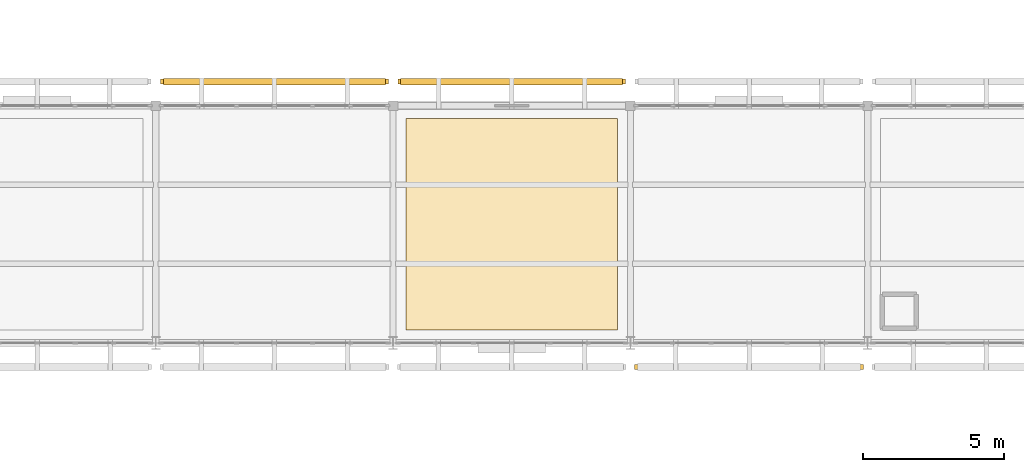
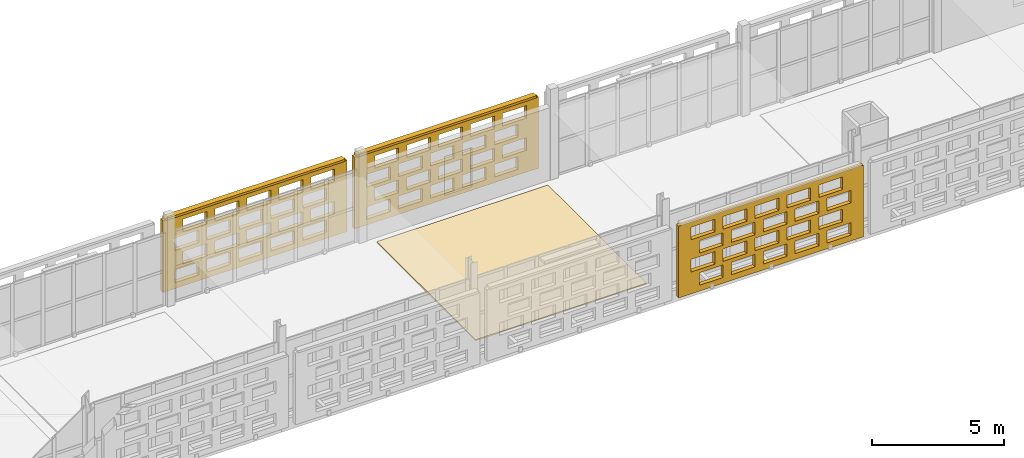
# One storey, part 121 of 140: 4 coverings, 2 shading devices, 60 openings.
"""IFC4 building model written with IfcOpenShell, lengths in metres."""

from ifc_helpers import new_model, si_unit, direction, frame, frame_2d, origin, origin_2d, place, context, subcontext, project, spatial, rectangle, extrude, material, layer, layer_set, type_object, element, save


model = new_model("IFC4")

# Units and contexts
model_context = context("Model", 3, precision=1e-05, world=origin(), true_north=direction((0.0, 1.0)))
body_context = subcontext(model_context, "Body", "Model", "MODEL_VIEW")
ifc_project = project(units=[si_unit("LENGTHUNIT", "METRE"), si_unit("AREAUNIT", "SQUARE_METRE"), si_unit("VOLUMEUNIT", "CUBIC_METRE"), si_unit("PLANEANGLEUNIT", "RADIAN"), si_unit("MASSUNIT", "GRAM", prefix="KILO")], contexts=[model_context])

# Site, building, storey
site_placement = place(None, origin())
site = spatial("IfcSite", under=ifc_project, at=site_placement, CompositionType="ELEMENT")
building_placement = place(site_placement, origin())
building = spatial("IfcBuilding", under=site, at=building_placement, Name="Varnapada Polytechnic", CompositionType="ELEMENT")
storey_placement = place(building_placement, frame((0.0, 0.0, 13.800048828125)))
storey = spatial("IfcBuildingStorey", under=building, at=storey_placement, Name="L03", CompositionType="ELEMENT", Elevation=13.800048828125)

# Covering
ifc_material_1 = material(Name="End-Grain Timber Studio Block Flooring", Category="wood")
ifc_layer_1 = layer(ifc_material_1, 0.054931640625)
ifc_layer_set_1 = layer_set([ifc_layer_1], Name="End-Grain Timber Studio Block Flooring")
covering_type_1 = type_object("IfcCoveringType", Name="Floor Finish FLR-04", PredefinedType="FLOORING", material=ifc_layer_set_1)
covering_1_placement = place(storey_placement, frame((88.199951171875, 88.199951171875, 0.0), z_axis=(0.0, 0.0, 1.0), x_axis=(1.0, 0.0, 0.0)))
element("IfcCovering", 1, at=covering_1_placement, inside=storey, type_object=covering_type_1, Name="L03 floor finish panel (11,11)", PredefinedType="FLOORING", context=body_context, shape_type="SweptSolid", body=[
    extrude(rectangle(XDim=7.5, YDim=7.5, at=origin_2d()), origin(), (0.0, 0.0, 1.0), 0.054931640625),
])

# Covering, openings
ifc_material_2 = material(Name="Earth-toned architectural terracotta screen block", Category="masonry")
ifc_layer_2 = layer(ifc_material_2, 0.1201171875)
ifc_layer_set_2 = layer_set([ifc_layer_2], Name="Earth-toned architectural terracotta screen block")
covering_type_2 = type_object("IfcCoveringType", Name="Terracotta Screen Cladding CLD-01", PredefinedType="CLADDING", material=ifc_layer_set_2)
covering_2_placement = place(storey_placement, frame((75.77001953125, 93.25, 0.0), z_axis=(0.0, 0.0, 1.0), x_axis=(1.0, 0.0, 0.0)))
covering_2 = element("IfcCovering", 2, at=covering_2_placement, inside=storey, type_object=covering_type_2, Name="L03 perforated terracotta block screen (57)", PredefinedType="CLADDING", context=body_context, shape_type="SweptSolid", body=[
    extrude(rectangle(XDim=8.06005859375, YDim=0.179931640625, at=frame_2d((4.030029296875, 0.0))), origin(), (0.0, 0.0, 1.0), 3.320068359375),
])
opening_1_placement = place(covering_2_placement, frame((0.530029296875, 0.0, 0.265625)))
element("IfcOpeningElement", 3, at=opening_1_placement, cuts=covering_2, Name="Screen perforation TBS-L03-056.1", PredefinedType="OPENING", context=body_context, shape_type="SweptSolid", body=[
    extrude(rectangle(XDim=1.0400390625, YDim=0.5810546875, at=frame_2d((0.52001953125, 0.29052734375))), frame((0.0, 0.099853515625, 0.0), z_axis=(0.0, -1.0, 0.0), x_axis=(1.0, 0.0, 0.0)), (0.0, 0.0, 1.0), 0.199951171875),
])
opening_2_placement = place(covering_2_placement, frame((1.929931640625, 0.0, 0.265625)))
element("IfcOpeningElement", 4, at=opening_2_placement, cuts=covering_2, Name="Screen perforation TBS-L03-056.2", PredefinedType="OPENING", context=body_context, shape_type="SweptSolid", body=[
    extrude(rectangle(XDim=1.0400390625, YDim=0.5810546875, at=frame_2d((0.52001953125, 0.29052734375))), frame((0.0, 0.099853515625, 0.0), z_axis=(0.0, -1.0, 0.0), x_axis=(1.0, 0.0, 0.0)), (0.0, 0.0, 1.0), 0.199951171875),
])
opening_3_placement = place(covering_2_placement, frame((3.330078125, 0.0, 0.265625)))
element("IfcOpeningElement", 5, at=opening_3_placement, cuts=covering_2, Name="Screen perforation TBS-L03-056.3", PredefinedType="OPENING", context=body_context, shape_type="SweptSolid", body=[
    extrude(rectangle(XDim=1.0400390625, YDim=0.5810546875, at=frame_2d((0.52001953125, 0.29052734375))), frame((0.0, 0.099853515625, 0.0), z_axis=(0.0, -1.0, 0.0), x_axis=(1.0, 0.0, 0.0)), (0.0, 0.0, 1.0), 0.199951171875),
])
opening_4_placement = place(covering_2_placement, frame((4.72998046875, 0.0, 0.265625)))
element("IfcOpeningElement", 6, at=opening_4_placement, cuts=covering_2, Name="Screen perforation TBS-L03-056.4", PredefinedType="OPENING", context=body_context, shape_type="SweptSolid", body=[
    extrude(rectangle(XDim=1.0400390625, YDim=0.5810546875, at=frame_2d((0.52001953125, 0.29052734375))), frame((0.0, 0.099853515625, 0.0), z_axis=(0.0, -1.0, 0.0), x_axis=(1.0, 0.0, 0.0)), (0.0, 0.0, 1.0), 0.199951171875),
])
opening_5_placement = place(covering_2_placement, frame((6.1298828125, 0.0, 0.265625)))
element("IfcOpeningElement", 7, at=opening_5_placement, cuts=covering_2, Name="Screen perforation TBS-L03-056.5", PredefinedType="OPENING", context=body_context, shape_type="SweptSolid", body=[
    extrude(rectangle(XDim=1.0400390625, YDim=0.5810546875, at=frame_2d((0.52001953125, 0.29052734375))), frame((0.0, 0.099853515625, 0.0), z_axis=(0.0, -1.0, 0.0), x_axis=(1.0, 0.0, 0.0)), (0.0, 0.0, 1.0), 0.199951171875),
])
opening_6_placement = place(covering_2_placement, frame((0.889892578125, 0.0, 1.0126953125)))
element("IfcOpeningElement", 8, at=opening_6_placement, cuts=covering_2, Name="Screen perforation TBS-L03-056.6", PredefinedType="OPENING", context=body_context, shape_type="SweptSolid", body=[
    extrude(rectangle(XDim=1.0400390625, YDim=0.5810546875, at=frame_2d((0.52001953125, 0.29052734375))), frame((0.0, 0.099853515625, 0.0), z_axis=(0.0, -1.0, 0.0), x_axis=(1.0, 0.0, 0.0)), (0.0, 0.0, 1.0), 0.199951171875),
])
opening_7_placement = place(covering_2_placement, frame((2.2900390625, 0.0, 1.0126953125)))
element("IfcOpeningElement", 9, at=opening_7_placement, cuts=covering_2, Name="Screen perforation TBS-L03-056.7", PredefinedType="OPENING", context=body_context, shape_type="SweptSolid", body=[
    extrude(rectangle(XDim=1.0400390625, YDim=0.5810546875, at=frame_2d((0.52001953125, 0.29052734375))), frame((0.0, 0.099853515625, 0.0), z_axis=(0.0, -1.0, 0.0), x_axis=(1.0, 0.0, 0.0)), (0.0, 0.0, 1.0), 0.199951171875),
])
opening_8_placement = place(covering_2_placement, frame((3.68994140625, 0.0, 1.0126953125)))
element("IfcOpeningElement", 10, at=opening_8_placement, cuts=covering_2, Name="Screen perforation TBS-L03-056.8", PredefinedType="OPENING", context=body_context, shape_type="SweptSolid", body=[
    extrude(rectangle(XDim=1.0400390625, YDim=0.5810546875, at=frame_2d((0.52001953125, 0.29052734375))), frame((0.0, 0.099853515625, 0.0), z_axis=(0.0, -1.0, 0.0), x_axis=(1.0, 0.0, 0.0)), (0.0, 0.0, 1.0), 0.199951171875),
])
opening_9_placement = place(covering_2_placement, frame((5.090087890625, 0.0, 1.0126953125)))
element("IfcOpeningElement", 11, at=opening_9_placement, cuts=covering_2, Name="Screen perforation TBS-L03-056.9", PredefinedType="OPENING", context=body_context, shape_type="SweptSolid", body=[
    extrude(rectangle(XDim=1.0400390625, YDim=0.5810546875, at=frame_2d((0.52001953125, 0.29052734375))), frame((0.0, 0.099853515625, 0.0), z_axis=(0.0, -1.0, 0.0), x_axis=(1.0, 0.0, 0.0)), (0.0, 0.0, 1.0), 0.199951171875),
])
opening_10_placement = place(covering_2_placement, frame((6.489990234375, 0.0, 1.0126953125)))
element("IfcOpeningElement", 12, at=opening_10_placement, cuts=covering_2, Name="Screen perforation TBS-L03-056.10", PredefinedType="OPENING", context=body_context, shape_type="SweptSolid", body=[
    extrude(rectangle(XDim=1.0400390625, YDim=0.5810546875, at=frame_2d((0.52001953125, 0.29052734375))), frame((0.0, 0.099853515625, 0.0), z_axis=(0.0, -1.0, 0.0), x_axis=(1.0, 0.0, 0.0)), (0.0, 0.0, 1.0), 0.199951171875),
])
opening_11_placement = place(covering_2_placement, frame((0.530029296875, 0.0, 1.759521484375)))
element("IfcOpeningElement", 13, at=opening_11_placement, cuts=covering_2, Name="Screen perforation TBS-L03-056.11", PredefinedType="OPENING", context=body_context, shape_type="SweptSolid", body=[
    extrude(rectangle(XDim=1.0400390625, YDim=0.5810546875, at=frame_2d((0.52001953125, 0.29052734375))), frame((0.0, 0.099853515625, 0.0), z_axis=(0.0, -1.0, 0.0), x_axis=(1.0, 0.0, 0.0)), (0.0, 0.0, 1.0), 0.199951171875),
])
opening_12_placement = place(covering_2_placement, frame((1.929931640625, 0.0, 1.759521484375)))
element("IfcOpeningElement", 14, at=opening_12_placement, cuts=covering_2, Name="Screen perforation TBS-L03-056.12", PredefinedType="OPENING", context=body_context, shape_type="SweptSolid", body=[
    extrude(rectangle(XDim=1.0400390625, YDim=0.5810546875, at=frame_2d((0.52001953125, 0.29052734375))), frame((0.0, 0.099853515625, 0.0), z_axis=(0.0, -1.0, 0.0), x_axis=(1.0, 0.0, 0.0)), (0.0, 0.0, 1.0), 0.199951171875),
])
opening_13_placement = place(covering_2_placement, frame((3.330078125, 0.0, 1.759521484375)))
element("IfcOpeningElement", 15, at=opening_13_placement, cuts=covering_2, Name="Screen perforation TBS-L03-056.13", PredefinedType="OPENING", context=body_context, shape_type="SweptSolid", body=[
    extrude(rectangle(XDim=1.0400390625, YDim=0.5810546875, at=frame_2d((0.52001953125, 0.29052734375))), frame((0.0, 0.099853515625, 0.0), z_axis=(0.0, -1.0, 0.0), x_axis=(1.0, 0.0, 0.0)), (0.0, 0.0, 1.0), 0.199951171875),
])
opening_14_placement = place(covering_2_placement, frame((4.72998046875, 0.0, 1.759521484375)))
element("IfcOpeningElement", 16, at=opening_14_placement, cuts=covering_2, Name="Screen perforation TBS-L03-056.14", PredefinedType="OPENING", context=body_context, shape_type="SweptSolid", body=[
    extrude(rectangle(XDim=1.0400390625, YDim=0.5810546875, at=frame_2d((0.52001953125, 0.29052734375))), frame((0.0, 0.099853515625, 0.0), z_axis=(0.0, -1.0, 0.0), x_axis=(1.0, 0.0, 0.0)), (0.0, 0.0, 1.0), 0.199951171875),
])
opening_15_placement = place(covering_2_placement, frame((6.1298828125, 0.0, 1.759521484375)))
element("IfcOpeningElement", 17, at=opening_15_placement, cuts=covering_2, Name="Screen perforation TBS-L03-056.15", PredefinedType="OPENING", context=body_context, shape_type="SweptSolid", body=[
    extrude(rectangle(XDim=1.0400390625, YDim=0.5810546875, at=frame_2d((0.52001953125, 0.29052734375))), frame((0.0, 0.099853515625, 0.0), z_axis=(0.0, -1.0, 0.0), x_axis=(1.0, 0.0, 0.0)), (0.0, 0.0, 1.0), 0.199951171875),
])
opening_16_placement = place(covering_2_placement, frame((0.889892578125, 0.0, 2.506591796875)))
element("IfcOpeningElement", 18, at=opening_16_placement, cuts=covering_2, Name="Screen perforation TBS-L03-056.16", PredefinedType="OPENING", context=body_context, shape_type="SweptSolid", body=[
    extrude(rectangle(XDim=1.0400390625, YDim=0.5810546875, at=frame_2d((0.52001953125, 0.29052734375))), frame((0.0, 0.099853515625, 0.0), z_axis=(0.0, -1.0, 0.0), x_axis=(1.0, 0.0, 0.0)), (0.0, 0.0, 1.0), 0.199951171875),
])
opening_17_placement = place(covering_2_placement, frame((2.2900390625, 0.0, 2.506591796875)))
element("IfcOpeningElement", 19, at=opening_17_placement, cuts=covering_2, Name="Screen perforation TBS-L03-056.17", PredefinedType="OPENING", context=body_context, shape_type="SweptSolid", body=[
    extrude(rectangle(XDim=1.0400390625, YDim=0.5810546875, at=frame_2d((0.52001953125, 0.29052734375))), frame((0.0, 0.099853515625, 0.0), z_axis=(0.0, -1.0, 0.0), x_axis=(1.0, 0.0, 0.0)), (0.0, 0.0, 1.0), 0.199951171875),
])
opening_18_placement = place(covering_2_placement, frame((3.68994140625, 0.0, 2.506591796875)))
element("IfcOpeningElement", 20, at=opening_18_placement, cuts=covering_2, Name="Screen perforation TBS-L03-056.18", PredefinedType="OPENING", context=body_context, shape_type="SweptSolid", body=[
    extrude(rectangle(XDim=1.0400390625, YDim=0.5810546875, at=frame_2d((0.52001953125, 0.29052734375))), frame((0.0, 0.099853515625, 0.0), z_axis=(0.0, -1.0, 0.0), x_axis=(1.0, 0.0, 0.0)), (0.0, 0.0, 1.0), 0.199951171875),
])
opening_19_placement = place(covering_2_placement, frame((5.090087890625, 0.0, 2.506591796875)))
element("IfcOpeningElement", 21, at=opening_19_placement, cuts=covering_2, Name="Screen perforation TBS-L03-056.19", PredefinedType="OPENING", context=body_context, shape_type="SweptSolid", body=[
    extrude(rectangle(XDim=1.0400390625, YDim=0.5810546875, at=frame_2d((0.52001953125, 0.29052734375))), frame((0.0, 0.099853515625, 0.0), z_axis=(0.0, -1.0, 0.0), x_axis=(1.0, 0.0, 0.0)), (0.0, 0.0, 1.0), 0.199951171875),
])
opening_20_placement = place(covering_2_placement, frame((6.489990234375, 0.0, 2.506591796875)))
element("IfcOpeningElement", 22, at=opening_20_placement, cuts=covering_2, Name="Screen perforation TBS-L03-056.20", PredefinedType="OPENING", context=body_context, shape_type="SweptSolid", body=[
    extrude(rectangle(XDim=1.0400390625, YDim=0.5810546875, at=frame_2d((0.52001953125, 0.29052734375))), frame((0.0, 0.099853515625, 0.0), z_axis=(0.0, -1.0, 0.0), x_axis=(1.0, 0.0, 0.0)), (0.0, 0.0, 1.0), 0.199951171875),
])

covering_3_placement = place(storey_placement, frame((84.169921875, 93.25, 0.0), z_axis=(0.0, 0.0, 1.0), x_axis=(1.0, 0.0, 0.0)))
covering_3 = element("IfcCovering", 23, at=covering_3_placement, inside=storey, type_object=covering_type_2, Name="L03 perforated terracotta block screen (59)", PredefinedType="CLADDING", context=body_context, shape_type="SweptSolid", body=[
    extrude(rectangle(XDim=8.06005859375, YDim=0.179931640625, at=frame_2d((4.030029296875, 0.0))), origin(), (0.0, 0.0, 1.0), 3.320068359375),
])
opening_21_placement = place(covering_3_placement, frame((0.530029296875, 0.0, 0.265625)))
element("IfcOpeningElement", 24, at=opening_21_placement, cuts=covering_3, Name="Screen perforation TBS-L03-058.1", PredefinedType="OPENING", context=body_context, shape_type="SweptSolid", body=[
    extrude(rectangle(XDim=1.0400390625, YDim=0.5810546875, at=frame_2d((0.52001953125, 0.29052734375))), frame((0.0, 0.099853515625, 0.0), z_axis=(0.0, -1.0, 0.0), x_axis=(1.0, 0.0, 0.0)), (0.0, 0.0, 1.0), 0.199951171875),
])
opening_22_placement = place(covering_3_placement, frame((1.929931640625, 0.0, 0.265625)))
element("IfcOpeningElement", 25, at=opening_22_placement, cuts=covering_3, Name="Screen perforation TBS-L03-058.2", PredefinedType="OPENING", context=body_context, shape_type="SweptSolid", body=[
    extrude(rectangle(XDim=1.0400390625, YDim=0.5810546875, at=frame_2d((0.52001953125, 0.29052734375))), frame((0.0, 0.099853515625, 0.0), z_axis=(0.0, -1.0, 0.0), x_axis=(1.0, 0.0, 0.0)), (0.0, 0.0, 1.0), 0.199951171875),
])
opening_23_placement = place(covering_3_placement, frame((3.330078125, 0.0, 0.265625)))
element("IfcOpeningElement", 26, at=opening_23_placement, cuts=covering_3, Name="Screen perforation TBS-L03-058.3", PredefinedType="OPENING", context=body_context, shape_type="SweptSolid", body=[
    extrude(rectangle(XDim=1.0400390625, YDim=0.5810546875, at=frame_2d((0.52001953125, 0.29052734375))), frame((0.0, 0.099853515625, 0.0), z_axis=(0.0, -1.0, 0.0), x_axis=(1.0, 0.0, 0.0)), (0.0, 0.0, 1.0), 0.199951171875),
])
opening_24_placement = place(covering_3_placement, frame((4.72998046875, 0.0, 0.265625)))
element("IfcOpeningElement", 27, at=opening_24_placement, cuts=covering_3, Name="Screen perforation TBS-L03-058.4", PredefinedType="OPENING", context=body_context, shape_type="SweptSolid", body=[
    extrude(rectangle(XDim=1.0400390625, YDim=0.5810546875, at=frame_2d((0.52001953125, 0.29052734375))), frame((0.0, 0.099853515625, 0.0), z_axis=(0.0, -1.0, 0.0), x_axis=(1.0, 0.0, 0.0)), (0.0, 0.0, 1.0), 0.199951171875),
])
opening_25_placement = place(covering_3_placement, frame((6.1298828125, 0.0, 0.265625)))
element("IfcOpeningElement", 28, at=opening_25_placement, cuts=covering_3, Name="Screen perforation TBS-L03-058.5", PredefinedType="OPENING", context=body_context, shape_type="SweptSolid", body=[
    extrude(rectangle(XDim=1.0400390625, YDim=0.5810546875, at=frame_2d((0.52001953125, 0.29052734375))), frame((0.0, 0.099853515625, 0.0), z_axis=(0.0, -1.0, 0.0), x_axis=(1.0, 0.0, 0.0)), (0.0, 0.0, 1.0), 0.199951171875),
])
opening_26_placement = place(covering_3_placement, frame((0.889892578125, 0.0, 1.0126953125)))
element("IfcOpeningElement", 29, at=opening_26_placement, cuts=covering_3, Name="Screen perforation TBS-L03-058.6", PredefinedType="OPENING", context=body_context, shape_type="SweptSolid", body=[
    extrude(rectangle(XDim=1.0400390625, YDim=0.5810546875, at=frame_2d((0.52001953125, 0.29052734375))), frame((0.0, 0.099853515625, 0.0), z_axis=(0.0, -1.0, 0.0), x_axis=(1.0, 0.0, 0.0)), (0.0, 0.0, 1.0), 0.199951171875),
])
opening_27_placement = place(covering_3_placement, frame((2.2900390625, 0.0, 1.0126953125)))
element("IfcOpeningElement", 30, at=opening_27_placement, cuts=covering_3, Name="Screen perforation TBS-L03-058.7", PredefinedType="OPENING", context=body_context, shape_type="SweptSolid", body=[
    extrude(rectangle(XDim=1.0400390625, YDim=0.5810546875, at=frame_2d((0.52001953125, 0.29052734375))), frame((0.0, 0.099853515625, 0.0), z_axis=(0.0, -1.0, 0.0), x_axis=(1.0, 0.0, 0.0)), (0.0, 0.0, 1.0), 0.199951171875),
])
opening_28_placement = place(covering_3_placement, frame((3.68994140625, 0.0, 1.0126953125)))
element("IfcOpeningElement", 31, at=opening_28_placement, cuts=covering_3, Name="Screen perforation TBS-L03-058.8", PredefinedType="OPENING", context=body_context, shape_type="SweptSolid", body=[
    extrude(rectangle(XDim=1.0400390625, YDim=0.5810546875, at=frame_2d((0.52001953125, 0.29052734375))), frame((0.0, 0.099853515625, 0.0), z_axis=(0.0, -1.0, 0.0), x_axis=(1.0, 0.0, 0.0)), (0.0, 0.0, 1.0), 0.199951171875),
])
opening_29_placement = place(covering_3_placement, frame((5.090087890625, 0.0, 1.0126953125)))
element("IfcOpeningElement", 32, at=opening_29_placement, cuts=covering_3, Name="Screen perforation TBS-L03-058.9", PredefinedType="OPENING", context=body_context, shape_type="SweptSolid", body=[
    extrude(rectangle(XDim=1.0400390625, YDim=0.5810546875, at=frame_2d((0.52001953125, 0.29052734375))), frame((0.0, 0.099853515625, 0.0), z_axis=(0.0, -1.0, 0.0), x_axis=(1.0, 0.0, 0.0)), (0.0, 0.0, 1.0), 0.199951171875),
])
opening_30_placement = place(covering_3_placement, frame((6.489990234375, 0.0, 1.0126953125)))
element("IfcOpeningElement", 33, at=opening_30_placement, cuts=covering_3, Name="Screen perforation TBS-L03-058.10", PredefinedType="OPENING", context=body_context, shape_type="SweptSolid", body=[
    extrude(rectangle(XDim=1.0400390625, YDim=0.5810546875, at=frame_2d((0.52001953125, 0.29052734375))), frame((0.0, 0.099853515625, 0.0), z_axis=(0.0, -1.0, 0.0), x_axis=(1.0, 0.0, 0.0)), (0.0, 0.0, 1.0), 0.199951171875),
])
opening_31_placement = place(covering_3_placement, frame((0.530029296875, 0.0, 1.759521484375)))
element("IfcOpeningElement", 34, at=opening_31_placement, cuts=covering_3, Name="Screen perforation TBS-L03-058.11", PredefinedType="OPENING", context=body_context, shape_type="SweptSolid", body=[
    extrude(rectangle(XDim=1.0400390625, YDim=0.5810546875, at=frame_2d((0.52001953125, 0.29052734375))), frame((0.0, 0.099853515625, 0.0), z_axis=(0.0, -1.0, 0.0), x_axis=(1.0, 0.0, 0.0)), (0.0, 0.0, 1.0), 0.199951171875),
])
opening_32_placement = place(covering_3_placement, frame((1.929931640625, 0.0, 1.759521484375)))
element("IfcOpeningElement", 35, at=opening_32_placement, cuts=covering_3, Name="Screen perforation TBS-L03-058.12", PredefinedType="OPENING", context=body_context, shape_type="SweptSolid", body=[
    extrude(rectangle(XDim=1.0400390625, YDim=0.5810546875, at=frame_2d((0.52001953125, 0.29052734375))), frame((0.0, 0.099853515625, 0.0), z_axis=(0.0, -1.0, 0.0), x_axis=(1.0, 0.0, 0.0)), (0.0, 0.0, 1.0), 0.199951171875),
])
opening_33_placement = place(covering_3_placement, frame((3.330078125, 0.0, 1.759521484375)))
element("IfcOpeningElement", 36, at=opening_33_placement, cuts=covering_3, Name="Screen perforation TBS-L03-058.13", PredefinedType="OPENING", context=body_context, shape_type="SweptSolid", body=[
    extrude(rectangle(XDim=1.0400390625, YDim=0.5810546875, at=frame_2d((0.52001953125, 0.29052734375))), frame((0.0, 0.099853515625, 0.0), z_axis=(0.0, -1.0, 0.0), x_axis=(1.0, 0.0, 0.0)), (0.0, 0.0, 1.0), 0.199951171875),
])
opening_34_placement = place(covering_3_placement, frame((4.72998046875, 0.0, 1.759521484375)))
element("IfcOpeningElement", 37, at=opening_34_placement, cuts=covering_3, Name="Screen perforation TBS-L03-058.14", PredefinedType="OPENING", context=body_context, shape_type="SweptSolid", body=[
    extrude(rectangle(XDim=1.0400390625, YDim=0.5810546875, at=frame_2d((0.52001953125, 0.29052734375))), frame((0.0, 0.099853515625, 0.0), z_axis=(0.0, -1.0, 0.0), x_axis=(1.0, 0.0, 0.0)), (0.0, 0.0, 1.0), 0.199951171875),
])
opening_35_placement = place(covering_3_placement, frame((6.1298828125, 0.0, 1.759521484375)))
element("IfcOpeningElement", 38, at=opening_35_placement, cuts=covering_3, Name="Screen perforation TBS-L03-058.15", PredefinedType="OPENING", context=body_context, shape_type="SweptSolid", body=[
    extrude(rectangle(XDim=1.0400390625, YDim=0.5810546875, at=frame_2d((0.52001953125, 0.29052734375))), frame((0.0, 0.099853515625, 0.0), z_axis=(0.0, -1.0, 0.0), x_axis=(1.0, 0.0, 0.0)), (0.0, 0.0, 1.0), 0.199951171875),
])
opening_36_placement = place(covering_3_placement, frame((0.889892578125, 0.0, 2.506591796875)))
element("IfcOpeningElement", 39, at=opening_36_placement, cuts=covering_3, Name="Screen perforation TBS-L03-058.16", PredefinedType="OPENING", context=body_context, shape_type="SweptSolid", body=[
    extrude(rectangle(XDim=1.0400390625, YDim=0.5810546875, at=frame_2d((0.52001953125, 0.29052734375))), frame((0.0, 0.099853515625, 0.0), z_axis=(0.0, -1.0, 0.0), x_axis=(1.0, 0.0, 0.0)), (0.0, 0.0, 1.0), 0.199951171875),
])
opening_37_placement = place(covering_3_placement, frame((2.2900390625, 0.0, 2.506591796875)))
element("IfcOpeningElement", 40, at=opening_37_placement, cuts=covering_3, Name="Screen perforation TBS-L03-058.17", PredefinedType="OPENING", context=body_context, shape_type="SweptSolid", body=[
    extrude(rectangle(XDim=1.0400390625, YDim=0.5810546875, at=frame_2d((0.52001953125, 0.29052734375))), frame((0.0, 0.099853515625, 0.0), z_axis=(0.0, -1.0, 0.0), x_axis=(1.0, 0.0, 0.0)), (0.0, 0.0, 1.0), 0.199951171875),
])
opening_38_placement = place(covering_3_placement, frame((3.68994140625, 0.0, 2.506591796875)))
element("IfcOpeningElement", 41, at=opening_38_placement, cuts=covering_3, Name="Screen perforation TBS-L03-058.18", PredefinedType="OPENING", context=body_context, shape_type="SweptSolid", body=[
    extrude(rectangle(XDim=1.0400390625, YDim=0.5810546875, at=frame_2d((0.52001953125, 0.29052734375))), frame((0.0, 0.099853515625, 0.0), z_axis=(0.0, -1.0, 0.0), x_axis=(1.0, 0.0, 0.0)), (0.0, 0.0, 1.0), 0.199951171875),
])
opening_39_placement = place(covering_3_placement, frame((5.090087890625, 0.0, 2.506591796875)))
element("IfcOpeningElement", 42, at=opening_39_placement, cuts=covering_3, Name="Screen perforation TBS-L03-058.19", PredefinedType="OPENING", context=body_context, shape_type="SweptSolid", body=[
    extrude(rectangle(XDim=1.0400390625, YDim=0.5810546875, at=frame_2d((0.52001953125, 0.29052734375))), frame((0.0, 0.099853515625, 0.0), z_axis=(0.0, -1.0, 0.0), x_axis=(1.0, 0.0, 0.0)), (0.0, 0.0, 1.0), 0.199951171875),
])
opening_40_placement = place(covering_3_placement, frame((6.489990234375, 0.0, 2.506591796875)))
element("IfcOpeningElement", 43, at=opening_40_placement, cuts=covering_3, Name="Screen perforation TBS-L03-058.20", PredefinedType="OPENING", context=body_context, shape_type="SweptSolid", body=[
    extrude(rectangle(XDim=1.0400390625, YDim=0.5810546875, at=frame_2d((0.52001953125, 0.29052734375))), frame((0.0, 0.099853515625, 0.0), z_axis=(0.0, -1.0, 0.0), x_axis=(1.0, 0.0, 0.0)), (0.0, 0.0, 1.0), 0.199951171875),
])

covering_4_placement = place(storey_placement, frame((100.64990234375, 83.14990234375, 0.0), z_axis=(0.0, 0.0, 1.0), x_axis=(-1.0, 0.0, 0.0)))
covering_4 = element("IfcCovering", 44, at=covering_4_placement, inside=storey, type_object=covering_type_2, Name="L03 perforated terracotta block screen (60)", PredefinedType="CLADDING", context=body_context, shape_type="SweptSolid", body=[
    extrude(rectangle(XDim=8.099853515625, YDim=0.179931640625, at=frame_2d((4.0498046875, 0.0))), origin(), (0.0, 0.0, 1.0), 3.320068359375),
])
opening_41_placement = place(covering_4_placement, frame((0.550048828125, 0.0, 0.265625)))
element("IfcOpeningElement", 45, at=opening_41_placement, cuts=covering_4, Name="Screen perforation TBS-L03-059.1", PredefinedType="OPENING", context=body_context, shape_type="SweptSolid", body=[
    extrude(rectangle(XDim=1.0400390625, YDim=0.5810546875, at=frame_2d((0.52001953125, 0.29052734375))), frame((0.0, 0.099853515625, 0.0), z_axis=(0.0, -1.0, 0.0), x_axis=(1.0, 0.0, 0.0)), (0.0, 0.0, 1.0), 0.199951171875),
])
opening_42_placement = place(covering_4_placement, frame((1.949951171875, 0.0, 0.265625)))
element("IfcOpeningElement", 46, at=opening_42_placement, cuts=covering_4, Name="Screen perforation TBS-L03-059.2", PredefinedType="OPENING", context=body_context, shape_type="SweptSolid", body=[
    extrude(rectangle(XDim=1.0400390625, YDim=0.5810546875, at=frame_2d((0.52001953125, 0.29052734375))), frame((0.0, 0.099853515625, 0.0), z_axis=(0.0, -1.0, 0.0), x_axis=(1.0, 0.0, 0.0)), (0.0, 0.0, 1.0), 0.199951171875),
])
opening_43_placement = place(covering_4_placement, frame((3.35009765625, 0.0, 0.265625)))
element("IfcOpeningElement", 47, at=opening_43_placement, cuts=covering_4, Name="Screen perforation TBS-L03-059.3", PredefinedType="OPENING", context=body_context, shape_type="SweptSolid", body=[
    extrude(rectangle(XDim=1.0400390625, YDim=0.5810546875, at=frame_2d((0.52001953125, 0.29052734375))), frame((0.0, 0.099853515625, 0.0), z_axis=(0.0, -1.0, 0.0), x_axis=(1.0, 0.0, 0.0)), (0.0, 0.0, 1.0), 0.199951171875),
])
opening_44_placement = place(covering_4_placement, frame((4.75, 0.0, 0.265625)))
element("IfcOpeningElement", 48, at=opening_44_placement, cuts=covering_4, Name="Screen perforation TBS-L03-059.4", PredefinedType="OPENING", context=body_context, shape_type="SweptSolid", body=[
    extrude(rectangle(XDim=1.0400390625, YDim=0.5810546875, at=frame_2d((0.52001953125, 0.29052734375))), frame((0.0, 0.099853515625, 0.0), z_axis=(0.0, -1.0, 0.0), x_axis=(1.0, 0.0, 0.0)), (0.0, 0.0, 1.0), 0.199951171875),
])
opening_45_placement = place(covering_4_placement, frame((6.14990234375, 0.0, 0.265625)))
element("IfcOpeningElement", 49, at=opening_45_placement, cuts=covering_4, Name="Screen perforation TBS-L03-059.5", PredefinedType="OPENING", context=body_context, shape_type="SweptSolid", body=[
    extrude(rectangle(XDim=1.0400390625, YDim=0.5810546875, at=frame_2d((0.52001953125, 0.29052734375))), frame((0.0, 0.099853515625, 0.0), z_axis=(0.0, -1.0, 0.0), x_axis=(1.0, 0.0, 0.0)), (0.0, 0.0, 1.0), 0.199951171875),
])
opening_46_placement = place(covering_4_placement, frame((0.909912109375, 0.0, 1.0126953125)))
element("IfcOpeningElement", 50, at=opening_46_placement, cuts=covering_4, Name="Screen perforation TBS-L03-059.6", PredefinedType="OPENING", context=body_context, shape_type="SweptSolid", body=[
    extrude(rectangle(XDim=1.0400390625, YDim=0.5810546875, at=frame_2d((0.52001953125, 0.29052734375))), frame((0.0, 0.099853515625, 0.0), z_axis=(0.0, -1.0, 0.0), x_axis=(1.0, 0.0, 0.0)), (0.0, 0.0, 1.0), 0.199951171875),
])
opening_47_placement = place(covering_4_placement, frame((2.31005859375, 0.0, 1.0126953125)))
element("IfcOpeningElement", 51, at=opening_47_placement, cuts=covering_4, Name="Screen perforation TBS-L03-059.7", PredefinedType="OPENING", context=body_context, shape_type="SweptSolid", body=[
    extrude(rectangle(XDim=1.0400390625, YDim=0.5810546875, at=frame_2d((0.52001953125, 0.29052734375))), frame((0.0, 0.099853515625, 0.0), z_axis=(0.0, -1.0, 0.0), x_axis=(1.0, 0.0, 0.0)), (0.0, 0.0, 1.0), 0.199951171875),
])
opening_48_placement = place(covering_4_placement, frame((3.7099609375, 0.0, 1.0126953125)))
element("IfcOpeningElement", 52, at=opening_48_placement, cuts=covering_4, Name="Screen perforation TBS-L03-059.8", PredefinedType="OPENING", context=body_context, shape_type="SweptSolid", body=[
    extrude(rectangle(XDim=1.0400390625, YDim=0.5810546875, at=frame_2d((0.52001953125, 0.29052734375))), frame((0.0, 0.099853515625, 0.0), z_axis=(0.0, -1.0, 0.0), x_axis=(1.0, 0.0, 0.0)), (0.0, 0.0, 1.0), 0.199951171875),
])
opening_49_placement = place(covering_4_placement, frame((5.110107421875, 0.0, 1.0126953125)))
element("IfcOpeningElement", 53, at=opening_49_placement, cuts=covering_4, Name="Screen perforation TBS-L03-059.9", PredefinedType="OPENING", context=body_context, shape_type="SweptSolid", body=[
    extrude(rectangle(XDim=1.0400390625, YDim=0.5810546875, at=frame_2d((0.52001953125, 0.29052734375))), frame((0.0, 0.099853515625, 0.0), z_axis=(0.0, -1.0, 0.0), x_axis=(1.0, 0.0, 0.0)), (0.0, 0.0, 1.0), 0.199951171875),
])
opening_50_placement = place(covering_4_placement, frame((6.510009765625, 0.0, 1.0126953125)))
element("IfcOpeningElement", 54, at=opening_50_placement, cuts=covering_4, Name="Screen perforation TBS-L03-059.10", PredefinedType="OPENING", context=body_context, shape_type="SweptSolid", body=[
    extrude(rectangle(XDim=1.0400390625, YDim=0.5810546875, at=frame_2d((0.52001953125, 0.29052734375))), frame((0.0, 0.099853515625, 0.0), z_axis=(0.0, -1.0, 0.0), x_axis=(1.0, 0.0, 0.0)), (0.0, 0.0, 1.0), 0.199951171875),
])
opening_51_placement = place(covering_4_placement, frame((0.550048828125, 0.0, 1.759521484375)))
element("IfcOpeningElement", 55, at=opening_51_placement, cuts=covering_4, Name="Screen perforation TBS-L03-059.11", PredefinedType="OPENING", context=body_context, shape_type="SweptSolid", body=[
    extrude(rectangle(XDim=1.0400390625, YDim=0.5810546875, at=frame_2d((0.52001953125, 0.29052734375))), frame((0.0, 0.099853515625, 0.0), z_axis=(0.0, -1.0, 0.0), x_axis=(1.0, 0.0, 0.0)), (0.0, 0.0, 1.0), 0.199951171875),
])
opening_52_placement = place(covering_4_placement, frame((1.949951171875, 0.0, 1.759521484375)))
element("IfcOpeningElement", 56, at=opening_52_placement, cuts=covering_4, Name="Screen perforation TBS-L03-059.12", PredefinedType="OPENING", context=body_context, shape_type="SweptSolid", body=[
    extrude(rectangle(XDim=1.0400390625, YDim=0.5810546875, at=frame_2d((0.52001953125, 0.29052734375))), frame((0.0, 0.099853515625, 0.0), z_axis=(0.0, -1.0, 0.0), x_axis=(1.0, 0.0, 0.0)), (0.0, 0.0, 1.0), 0.199951171875),
])
opening_53_placement = place(covering_4_placement, frame((3.35009765625, 0.0, 1.759521484375)))
element("IfcOpeningElement", 57, at=opening_53_placement, cuts=covering_4, Name="Screen perforation TBS-L03-059.13", PredefinedType="OPENING", context=body_context, shape_type="SweptSolid", body=[
    extrude(rectangle(XDim=1.0400390625, YDim=0.5810546875, at=frame_2d((0.52001953125, 0.29052734375))), frame((0.0, 0.099853515625, 0.0), z_axis=(0.0, -1.0, 0.0), x_axis=(1.0, 0.0, 0.0)), (0.0, 0.0, 1.0), 0.199951171875),
])
opening_54_placement = place(covering_4_placement, frame((4.75, 0.0, 1.759521484375)))
element("IfcOpeningElement", 58, at=opening_54_placement, cuts=covering_4, Name="Screen perforation TBS-L03-059.14", PredefinedType="OPENING", context=body_context, shape_type="SweptSolid", body=[
    extrude(rectangle(XDim=1.0400390625, YDim=0.5810546875, at=frame_2d((0.52001953125, 0.29052734375))), frame((0.0, 0.099853515625, 0.0), z_axis=(0.0, -1.0, 0.0), x_axis=(1.0, 0.0, 0.0)), (0.0, 0.0, 1.0), 0.199951171875),
])
opening_55_placement = place(covering_4_placement, frame((6.14990234375, 0.0, 1.759521484375)))
element("IfcOpeningElement", 59, at=opening_55_placement, cuts=covering_4, Name="Screen perforation TBS-L03-059.15", PredefinedType="OPENING", context=body_context, shape_type="SweptSolid", body=[
    extrude(rectangle(XDim=1.0400390625, YDim=0.5810546875, at=frame_2d((0.52001953125, 0.29052734375))), frame((0.0, 0.099853515625, 0.0), z_axis=(0.0, -1.0, 0.0), x_axis=(1.0, 0.0, 0.0)), (0.0, 0.0, 1.0), 0.199951171875),
])
opening_56_placement = place(covering_4_placement, frame((0.909912109375, 0.0, 2.506591796875)))
element("IfcOpeningElement", 60, at=opening_56_placement, cuts=covering_4, Name="Screen perforation TBS-L03-059.16", PredefinedType="OPENING", context=body_context, shape_type="SweptSolid", body=[
    extrude(rectangle(XDim=1.0400390625, YDim=0.5810546875, at=frame_2d((0.52001953125, 0.29052734375))), frame((0.0, 0.099853515625, 0.0), z_axis=(0.0, -1.0, 0.0), x_axis=(1.0, 0.0, 0.0)), (0.0, 0.0, 1.0), 0.199951171875),
])
opening_57_placement = place(covering_4_placement, frame((2.31005859375, 0.0, 2.506591796875)))
element("IfcOpeningElement", 61, at=opening_57_placement, cuts=covering_4, Name="Screen perforation TBS-L03-059.17", PredefinedType="OPENING", context=body_context, shape_type="SweptSolid", body=[
    extrude(rectangle(XDim=1.0400390625, YDim=0.5810546875, at=frame_2d((0.52001953125, 0.29052734375))), frame((0.0, 0.099853515625, 0.0), z_axis=(0.0, -1.0, 0.0), x_axis=(1.0, 0.0, 0.0)), (0.0, 0.0, 1.0), 0.199951171875),
])
opening_58_placement = place(covering_4_placement, frame((3.7099609375, 0.0, 2.506591796875)))
element("IfcOpeningElement", 62, at=opening_58_placement, cuts=covering_4, Name="Screen perforation TBS-L03-059.18", PredefinedType="OPENING", context=body_context, shape_type="SweptSolid", body=[
    extrude(rectangle(XDim=1.0400390625, YDim=0.5810546875, at=frame_2d((0.52001953125, 0.29052734375))), frame((0.0, 0.099853515625, 0.0), z_axis=(0.0, -1.0, 0.0), x_axis=(1.0, 0.0, 0.0)), (0.0, 0.0, 1.0), 0.199951171875),
])
opening_59_placement = place(covering_4_placement, frame((5.110107421875, 0.0, 2.506591796875)))
element("IfcOpeningElement", 63, at=opening_59_placement, cuts=covering_4, Name="Screen perforation TBS-L03-059.19", PredefinedType="OPENING", context=body_context, shape_type="SweptSolid", body=[
    extrude(rectangle(XDim=1.0400390625, YDim=0.5810546875, at=frame_2d((0.52001953125, 0.29052734375))), frame((0.0, 0.099853515625, 0.0), z_axis=(0.0, -1.0, 0.0), x_axis=(1.0, 0.0, 0.0)), (0.0, 0.0, 1.0), 0.199951171875),
])
opening_60_placement = place(covering_4_placement, frame((6.510009765625, 0.0, 2.506591796875)))
element("IfcOpeningElement", 64, at=opening_60_placement, cuts=covering_4, Name="Screen perforation TBS-L03-059.20", PredefinedType="OPENING", context=body_context, shape_type="SweptSolid", body=[
    extrude(rectangle(XDim=1.0400390625, YDim=0.5810546875, at=frame_2d((0.52001953125, 0.29052734375))), frame((0.0, 0.099853515625, 0.0), z_axis=(0.0, -1.0, 0.0), x_axis=(1.0, 0.0, 0.0)), (0.0, 0.0, 1.0), 0.199951171875),
])

# Shading devices
ifc_layer_3 = layer(ifc_material_2, 0.179931640625)
ifc_layer_set_3 = layer_set([ifc_layer_3], Name="Earth-toned architectural terracotta screen block")
shading_device_type = type_object("IfcShadingDeviceType", Name="Terracotta Screen SCR-01", PredefinedType="USERDEFINED", material=ifc_layer_set_3)
for number, where, z_axis, x_axis, name in (
    (65, (79.800048828125, 93.25, 3.309814453125), (0.0, 0.0, 1.0), (1.0, 0.0, 0.0), "L03 perforated terracotta screen hood 387"),
    (66, (88.199951171875, 93.25, 3.309814453125), (0.0, 0.0, 1.0), (1.0, 0.0, 0.0), "L03 perforated terracotta screen hood 389"),
):
    element("IfcShadingDevice", number, at=place(storey_placement, frame(where, z_axis=z_axis, x_axis=x_axis)), inside=storey, type_object=shading_device_type, Name=name, ObjectType="SCREEN", PredefinedType="USERDEFINED", context=body_context, shape_type="SweptSolid", body=[
        extrude(rectangle(XDim=7.860107421875, YDim=0.239990234375, at=origin_2d()), origin(), (0.0, 0.0, 1.0), 0.10009765625),
    ])

save(model, "model.ifc")
